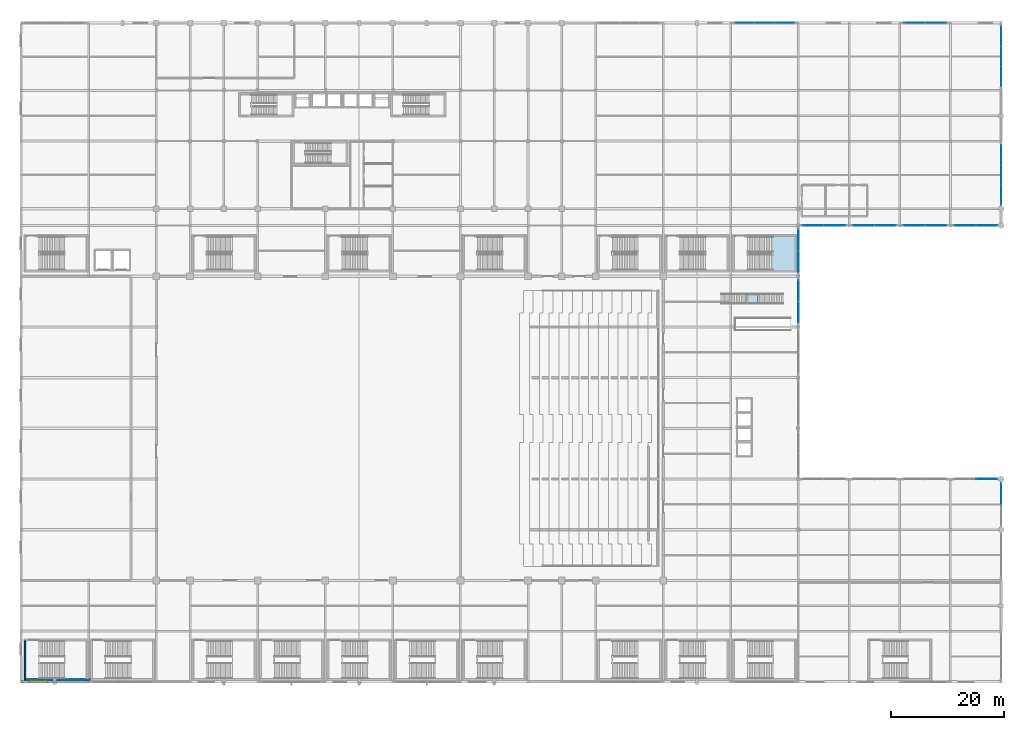
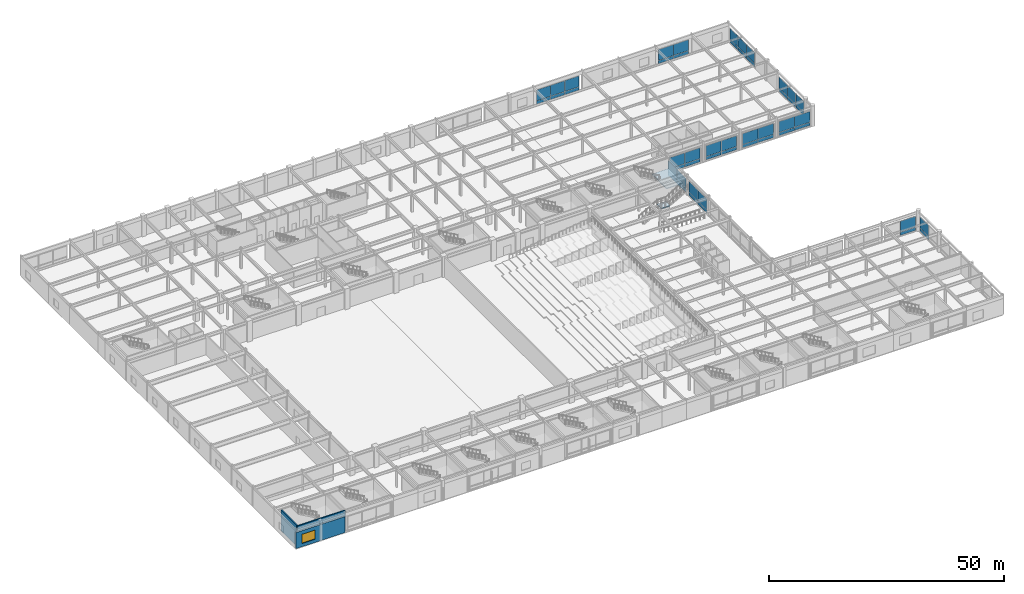
# One storey, part 78 of 100: 50 plates, 3 walls, 2 slabs, 1 window, 1 opening, 14 elements without a shape of their own.
"""IFC4 building model written with IfcOpenShell, lengths in metres."""

from ifc_helpers import new_model, si_unit, direction, frame, frame_2d, origin, origin_with_axes, origin_2d, place, context, subcontext, project, spatial, polyline, rectangle, outline, extrude, material, layer, layer_set, type_object, element, fill, aggregate, save


model = new_model("IFC4")

# Units and contexts
model_context = context("Model", 3, precision=1e-05, world=origin(), true_north=direction((0.0, 1.0)))
body_context = subcontext(model_context, "Body", "Model", "MODEL_VIEW")
ifc_project = project(units=[si_unit("LENGTHUNIT", "METRE"), si_unit("AREAUNIT", "SQUARE_METRE"), si_unit("VOLUMEUNIT", "CUBIC_METRE"), si_unit("PLANEANGLEUNIT", "RADIAN"), si_unit("MASSUNIT", "GRAM", prefix="KILO")], contexts=[model_context])

# Site, building, storey
site_placement = place(None, origin())
site = spatial("IfcSite", under=ifc_project, at=site_placement, CompositionType="ELEMENT")
building_placement = place(site_placement, origin())
building = spatial("IfcBuilding", under=site, at=building_placement, Name="Kaldorvane Square Convention Centre", CompositionType="ELEMENT")
storey_placement = place(building_placement, frame((0.0, 0.0, 18.0)))
storey = spatial("IfcBuildingStorey", under=building, at=storey_placement, Name="L03", CompositionType="ELEMENT", Elevation=18.0)

# Curtain wall, plates
ifc_material_1 = material(Name="Anodized Aluminum and Low-E Insulated Glazing", Category="aluminium")
curtain_wall_type_1 = type_object("IfcCurtainWallType", Name="CW-UNI-P54-09", PredefinedType="USERDEFINED", material=ifc_material_1)
curtain_wall_1_placement = place(storey_placement, origin())
curtain_wall_1 = element("IfcCurtainWall", 1, at=curtain_wall_1_placement, inside=storey, type_object=curtain_wall_type_1, Name="Curtain Wall CW-04 (L03)", ObjectType="UNITISED GLAZING", PredefinedType="USERDEFINED")
ifc_layer_1 = layer(ifc_material_1, 0.0319976806640625)
ifc_layer_set_1 = layer_set([ifc_layer_1], Name="Anodized Aluminum and Low-E Insulated Glazing")
plate_type_1 = type_object("IfcPlateType", Name="CW-PNL-04", PredefinedType="CURTAIN_PANEL", material=ifc_layer_set_1)
plate_1_placement = place(storey_placement, frame((135.51708984375, 117.0, 0.2100067138671875), z_axis=(0.0, 0.0, 1.0), x_axis=(-1.0, 0.0, 0.0)))
plate_1 = element("IfcPlate", 2, at=plate_1_placement, type_object=plate_type_1, Name="CW-04 panel 1.1", PredefinedType="CURTAIN_PANEL", context=body_context, shape_type="SweptSolid", body=[
    extrude(rectangle(XDim=3.4358367919921875, YDim=0.0319976806640625, at=origin_2d()), origin(), (0.0, 0.0, 1.0), 0.80999755859375),
])
plate_2_placement = place(storey_placement, frame((135.51708984375, 117.0, 1.0800018310546875), z_axis=(0.0, 0.0, 1.0), x_axis=(-1.0, 0.0, 0.0)))
plate_2 = element("IfcPlate", 3, at=plate_2_placement, type_object=plate_type_1, Name="CW-04 panel 1.2", PredefinedType="CURTAIN_PANEL", context=body_context, shape_type="SweptSolid", body=[
    extrude(rectangle(XDim=3.4358367919921875, YDim=0.0319976806640625, at=origin_2d()), origin(), (0.0, 0.0, 1.0), 2.82000732421875),
])
plate_3_placement = place(storey_placement, frame((132.0, 117.0, 0.2100067138671875), z_axis=(0.0, 0.0, 1.0), x_axis=(-1.0, 0.0, 0.0)))
plate_3 = element("IfcPlate", 4, at=plate_3_placement, type_object=plate_type_1, Name="CW-04 panel 2.1", PredefinedType="CURTAIN_PANEL", context=body_context, shape_type="SweptSolid", body=[
    extrude(rectangle(XDim=3.4683380126953125, YDim=0.0319976806640625, at=origin_2d()), origin(), (0.0, 0.0, 1.0), 0.80999755859375),
])
plate_4_placement = place(storey_placement, frame((132.0, 117.0, 1.0800018310546875), z_axis=(0.0, 0.0, 1.0), x_axis=(-1.0, 0.0, 0.0)))
plate_4 = element("IfcPlate", 5, at=plate_4_placement, type_object=plate_type_1, Name="CW-04 panel 2.2", PredefinedType="CURTAIN_PANEL", context=body_context, shape_type="SweptSolid", body=[
    extrude(rectangle(XDim=3.4683380126953125, YDim=0.0319976806640625, at=origin_2d()), origin(), (0.0, 0.0, 1.0), 2.82000732421875),
])
plate_5_placement = place(storey_placement, frame((128.48291015625, 117.0, 0.2100067138671875), z_axis=(0.0, 0.0, 1.0), x_axis=(-1.0, 0.0, 0.0)))
plate_5 = element("IfcPlate", 6, at=plate_5_placement, type_object=plate_type_1, Name="CW-04 panel 3.1", PredefinedType="CURTAIN_PANEL", context=body_context, shape_type="SweptSolid", body=[
    extrude(rectangle(XDim=3.4358367919921875, YDim=0.0319976806640625, at=origin_2d()), origin(), (0.0, 0.0, 1.0), 0.80999755859375),
])
plate_6_placement = place(storey_placement, frame((128.48291015625, 117.0, 1.0800018310546875), z_axis=(0.0, 0.0, 1.0), x_axis=(-1.0, 0.0, 0.0)))
plate_6 = element("IfcPlate", 7, at=plate_6_placement, type_object=plate_type_1, Name="CW-04 panel 3.2", PredefinedType="CURTAIN_PANEL", context=body_context, shape_type="SweptSolid", body=[
    extrude(rectangle(XDim=3.4358367919921875, YDim=0.0319976806640625, at=origin_2d()), origin(), (0.0, 0.0, 1.0), 2.82000732421875),
])
aggregate(curtain_wall_1, [plate_1, plate_2, plate_3, plate_4, plate_5, plate_6])

curtain_wall_2_placement = place(storey_placement, origin())
curtain_wall_2 = element("IfcCurtainWall", 8, at=curtain_wall_2_placement, inside=storey, type_object=curtain_wall_type_1, Name="Curtain Wall CW-04 (L03)", ObjectType="UNITISED GLAZING", PredefinedType="USERDEFINED")
plate_7_placement = place(storey_placement, frame((162.3837432861328, 117.0, 0.2100067138671875), z_axis=(0.0, 0.0, 1.0), x_axis=(-1.0, 0.0, 0.0)))
plate_7 = element("IfcPlate", 9, at=plate_7_placement, type_object=plate_type_1, Name="CW-04 panel 1.1", PredefinedType="CURTAIN_PANEL", context=body_context, shape_type="SweptSolid", body=[
    extrude(rectangle(XDim=3.7024993896484375, YDim=0.0319976806640625, at=origin_2d()), origin(), (0.0, 0.0, 1.0), 0.80999755859375),
])
plate_8_placement = place(storey_placement, frame((162.3837432861328, 117.0, 1.0800018310546875), z_axis=(0.0, 0.0, 1.0), x_axis=(-1.0, 0.0, 0.0)))
plate_8 = element("IfcPlate", 10, at=plate_8_placement, type_object=plate_type_1, Name="CW-04 panel 1.2", PredefinedType="CURTAIN_PANEL", context=body_context, shape_type="SweptSolid", body=[
    extrude(rectangle(XDim=3.7024993896484375, YDim=0.0319976806640625, at=origin_2d()), origin(), (0.0, 0.0, 1.0), 2.82000732421875),
])
plate_9_placement = place(storey_placement, frame((158.6162567138672, 117.0, 0.2100067138671875), z_axis=(0.0, 0.0, 1.0), x_axis=(-1.0, 0.0, 0.0)))
plate_9 = element("IfcPlate", 11, at=plate_9_placement, type_object=plate_type_1, Name="CW-04 panel 2.1", PredefinedType="CURTAIN_PANEL", context=body_context, shape_type="SweptSolid", body=[
    extrude(rectangle(XDim=3.7024993896484375, YDim=0.0319976806640625, at=origin_2d()), origin(), (0.0, 0.0, 1.0), 0.80999755859375),
])
plate_10_placement = place(storey_placement, frame((158.6162567138672, 117.0, 1.0800018310546875), z_axis=(0.0, 0.0, 1.0), x_axis=(-1.0, 0.0, 0.0)))
plate_10 = element("IfcPlate", 12, at=plate_10_placement, type_object=plate_type_1, Name="CW-04 panel 2.2", PredefinedType="CURTAIN_PANEL", context=body_context, shape_type="SweptSolid", body=[
    extrude(rectangle(XDim=3.7024993896484375, YDim=0.0319976806640625, at=origin_2d()), origin(), (0.0, 0.0, 1.0), 2.82000732421875),
])
aggregate(curtain_wall_2, [plate_7, plate_8, plate_9, plate_10])

curtain_wall_3_placement = place(storey_placement, origin())
curtain_wall_3 = element("IfcCurtainWall", 13, at=curtain_wall_3_placement, inside=storey, type_object=curtain_wall_type_1, Name="Curtain Wall CW-04 (L03)", ObjectType="UNITISED GLAZING", PredefinedType="USERDEFINED")
ifc_layer_2 = layer(ifc_material_1, 0.029998779296875)
ifc_layer_set_2 = layer_set([ifc_layer_2], Name="Anodized Aluminum and Low-E Insulated Glazing")
plate_type_2 = type_object("IfcPlateType", Name="CW-PNL-05", PredefinedType="CURTAIN_PANEL", material=ifc_layer_set_2)
plate_11_placement = place(storey_placement, frame((174.0, 33.40875244140625, 0.2100067138671875), z_axis=(0.0, 0.0, 1.0), x_axis=(0.0, 1.0, 0.0)))
plate_11 = element("IfcPlate", 14, at=plate_11_placement, type_object=plate_type_2, Name="CW-04 panel 2.1", PredefinedType="CURTAIN_PANEL", context=body_context, shape_type="SweptSolid", body=[
    extrude(rectangle(XDim=3.75250244140625, YDim=0.029998779296875, at=origin_2d()), origin(), (0.0, 0.0, 1.0), 0.80999755859375),
])
plate_12_placement = place(storey_placement, frame((174.0, 33.40875244140625, 1.0800018310546875), z_axis=(0.0, 0.0, 1.0), x_axis=(0.0, 1.0, 0.0)))
plate_12 = element("IfcPlate", 15, at=plate_12_placement, type_object=plate_type_2, Name="CW-04 panel 2.2", PredefinedType="CURTAIN_PANEL", context=body_context, shape_type="SweptSolid", body=[
    extrude(rectangle(XDim=3.75250244140625, YDim=0.029998779296875, at=origin_2d()), origin(), (0.0, 0.0, 1.0), 2.82000732421875),
])
aggregate(curtain_wall_3, [plate_11, plate_12])

curtain_wall_4_placement = place(storey_placement, origin())
curtain_wall_4 = element("IfcCurtainWall", 16, at=curtain_wall_4_placement, inside=storey, type_object=curtain_wall_type_1, Name="Curtain Wall CW-04 (L03)", ObjectType="UNITISED GLAZING", PredefinedType="USERDEFINED")
plate_13_placement = place(storey_placement, frame((174.0, 86.4495849609375, 0.2100067138671875), z_axis=(0.0, 0.0, 1.0), x_axis=(0.0, 1.0, 0.0)))
plate_13 = element("IfcPlate", 17, at=plate_13_placement, type_object=plate_type_2, Name="CW-04 panel 1.1", PredefinedType="CURTAIN_PANEL", context=body_context, shape_type="SweptSolid", body=[
    extrude(rectangle(XDim=3.4691619873046875, YDim=0.029998779296875, at=origin_2d()), origin(), (0.0, 0.0, 1.0), 0.80999755859375),
])
plate_14_placement = place(storey_placement, frame((174.0, 86.4495849609375, 1.0800018310546875), z_axis=(0.0, 0.0, 1.0), x_axis=(0.0, 1.0, 0.0)))
plate_14 = element("IfcPlate", 18, at=plate_14_placement, type_object=plate_type_2, Name="CW-04 panel 1.2", PredefinedType="CURTAIN_PANEL", context=body_context, shape_type="SweptSolid", body=[
    extrude(rectangle(XDim=3.4691619873046875, YDim=0.029998779296875, at=origin_2d()), origin(), (0.0, 0.0, 1.0), 2.82000732421875),
])
plate_15_placement = place(storey_placement, frame((174.0, 90.0, 0.2100067138671875), z_axis=(0.0, 0.0, 1.0), x_axis=(0.0, 1.0, 0.0)))
plate_15 = element("IfcPlate", 19, at=plate_15_placement, type_object=plate_type_2, Name="CW-04 panel 2.1", PredefinedType="CURTAIN_PANEL", context=body_context, shape_type="SweptSolid", body=[
    extrude(rectangle(XDim=3.5016632080078125, YDim=0.029998779296875, at=origin_2d()), origin(), (0.0, 0.0, 1.0), 0.80999755859375),
])
plate_16_placement = place(storey_placement, frame((174.0, 90.0, 1.0800018310546875), z_axis=(0.0, 0.0, 1.0), x_axis=(0.0, 1.0, 0.0)))
plate_16 = element("IfcPlate", 20, at=plate_16_placement, type_object=plate_type_2, Name="CW-04 panel 2.2", PredefinedType="CURTAIN_PANEL", context=body_context, shape_type="SweptSolid", body=[
    extrude(rectangle(XDim=3.5016632080078125, YDim=0.029998779296875, at=origin_2d()), origin(), (0.0, 0.0, 1.0), 2.82000732421875),
])
plate_17_placement = place(storey_placement, frame((174.0, 93.5504150390625, 0.2100067138671875), z_axis=(0.0, 0.0, 1.0), x_axis=(0.0, 1.0, 0.0)))
plate_17 = element("IfcPlate", 21, at=plate_17_placement, type_object=plate_type_2, Name="CW-04 panel 3.1", PredefinedType="CURTAIN_PANEL", context=body_context, shape_type="SweptSolid", body=[
    extrude(rectangle(XDim=3.4691619873046875, YDim=0.029998779296875, at=origin_2d()), origin(), (0.0, 0.0, 1.0), 0.80999755859375),
])
plate_18_placement = place(storey_placement, frame((174.0, 93.5504150390625, 1.0800018310546875), z_axis=(0.0, 0.0, 1.0), x_axis=(0.0, 1.0, 0.0)))
plate_18 = element("IfcPlate", 22, at=plate_18_placement, type_object=plate_type_2, Name="CW-04 panel 3.2", PredefinedType="CURTAIN_PANEL", context=body_context, shape_type="SweptSolid", body=[
    extrude(rectangle(XDim=3.4691619873046875, YDim=0.029998779296875, at=origin_2d()), origin(), (0.0, 0.0, 1.0), 2.82000732421875),
])
aggregate(curtain_wall_4, [plate_13, plate_14, plate_15, plate_16, plate_17, plate_18])

curtain_wall_5_placement = place(storey_placement, origin())
curtain_wall_5 = element("IfcCurtainWall", 23, at=curtain_wall_5_placement, inside=storey, type_object=curtain_wall_type_1, Name="Curtain Wall CW-04 (L03)", ObjectType="UNITISED GLAZING", PredefinedType="USERDEFINED")
plate_19_placement = place(storey_placement, frame((174.0, 107.4495849609375, 0.2100067138671875), z_axis=(0.0, 0.0, 1.0), x_axis=(0.0, 1.0, 0.0)))
plate_19 = element("IfcPlate", 24, at=plate_19_placement, type_object=plate_type_2, Name="CW-04 panel 1.1", PredefinedType="CURTAIN_PANEL", context=body_context, shape_type="SweptSolid", body=[
    extrude(rectangle(XDim=3.4691619873046875, YDim=0.029998779296875, at=origin_2d()), origin(), (0.0, 0.0, 1.0), 0.80999755859375),
])
plate_20_placement = place(storey_placement, frame((174.0, 107.4495849609375, 1.0800018310546875), z_axis=(0.0, 0.0, 1.0), x_axis=(0.0, 1.0, 0.0)))
plate_20 = element("IfcPlate", 25, at=plate_20_placement, type_object=plate_type_2, Name="CW-04 panel 1.2", PredefinedType="CURTAIN_PANEL", context=body_context, shape_type="SweptSolid", body=[
    extrude(rectangle(XDim=3.4691619873046875, YDim=0.029998779296875, at=origin_2d()), origin(), (0.0, 0.0, 1.0), 2.82000732421875),
])
plate_21_placement = place(storey_placement, frame((174.0, 111.0, 0.2100067138671875), z_axis=(0.0, 0.0, 1.0), x_axis=(0.0, 1.0, 0.0)))
plate_21 = element("IfcPlate", 26, at=plate_21_placement, type_object=plate_type_2, Name="CW-04 panel 2.1", PredefinedType="CURTAIN_PANEL", context=body_context, shape_type="SweptSolid", body=[
    extrude(rectangle(XDim=3.5016632080078125, YDim=0.029998779296875, at=origin_2d()), origin(), (0.0, 0.0, 1.0), 0.80999755859375),
])
plate_22_placement = place(storey_placement, frame((174.0, 111.0, 1.0800018310546875), z_axis=(0.0, 0.0, 1.0), x_axis=(0.0, 1.0, 0.0)))
plate_22 = element("IfcPlate", 27, at=plate_22_placement, type_object=plate_type_2, Name="CW-04 panel 2.2", PredefinedType="CURTAIN_PANEL", context=body_context, shape_type="SweptSolid", body=[
    extrude(rectangle(XDim=3.5016632080078125, YDim=0.029998779296875, at=origin_2d()), origin(), (0.0, 0.0, 1.0), 2.82000732421875),
])
plate_23_placement = place(storey_placement, frame((174.0, 114.5504150390625, 0.2100067138671875), z_axis=(0.0, 0.0, 1.0), x_axis=(0.0, 1.0, 0.0)))
plate_23 = element("IfcPlate", 28, at=plate_23_placement, type_object=plate_type_2, Name="CW-04 panel 3.1", PredefinedType="CURTAIN_PANEL", context=body_context, shape_type="SweptSolid", body=[
    extrude(rectangle(XDim=3.4691619873046875, YDim=0.029998779296875, at=origin_2d()), origin(), (0.0, 0.0, 1.0), 0.80999755859375),
])
plate_24_placement = place(storey_placement, frame((174.0, 114.5504150390625, 1.0800018310546875), z_axis=(0.0, 0.0, 1.0), x_axis=(0.0, 1.0, 0.0)))
plate_24 = element("IfcPlate", 29, at=plate_24_placement, type_object=plate_type_2, Name="CW-04 panel 3.2", PredefinedType="CURTAIN_PANEL", context=body_context, shape_type="SweptSolid", body=[
    extrude(rectangle(XDim=3.4691619873046875, YDim=0.029998779296875, at=origin_2d()), origin(), (0.0, 0.0, 1.0), 2.82000732421875),
])
aggregate(curtain_wall_5, [plate_19, plate_20, plate_21, plate_22, plate_23, plate_24])

curtain_wall_type_2 = type_object("IfcCurtainWallType", Name="CW-PTS-FC-54", PredefinedType="USERDEFINED", material=ifc_material_1)
curtain_wall_6_placement = place(storey_placement, origin())
curtain_wall_6 = element("IfcCurtainWall", 30, at=curtain_wall_6_placement, inside=storey, type_object=curtain_wall_type_2, Name="Curtain Wall CW-08 (L03)", ObjectType="POINT SUPPORTED GLAZING", PredefinedType="USERDEFINED")
ifc_layer_3 = layer(ifc_material_1, 0.0399932861328125)
ifc_layer_set_3 = layer_set([ifc_layer_3], Name="Anodized Aluminum and Low-E Insulated Glazing")
plate_type_3 = type_object("IfcPlateType", Name="CW-PNL-07", PredefinedType="CURTAIN_PANEL", material=ifc_layer_set_3)
plate_25_placement = place(storey_placement, frame((171.40625, 36.0, 0.214996337890625), z_axis=(0.0, 0.0, 1.0), x_axis=(-1.0, 0.0, 0.0)))
plate_25 = element("IfcPlate", 31, at=plate_25_placement, type_object=plate_type_3, Name="CW-08 panel 1.1", PredefinedType="CURTAIN_PANEL", context=body_context, shape_type="SweptSolid", body=[
    extrude(rectangle(XDim=3.7375030517578125, YDim=0.0399932861328125, at=origin_2d()), origin(), (0.0, 0.0, 1.0), 0.8025054931640625),
])
plate_26_placement = place(storey_placement, frame((171.40625, 36.0, 1.0825042724609375), z_axis=(0.0, 0.0, 1.0), x_axis=(-1.0, 0.0, 0.0)))
plate_26 = element("IfcPlate", 32, at=plate_26_placement, type_object=plate_type_3, Name="CW-08 panel 1.2", PredefinedType="CURTAIN_PANEL", context=body_context, shape_type="SweptSolid", body=[
    extrude(rectangle(XDim=3.7375030517578125, YDim=0.0399932861328125, at=origin_2d()), origin(), (0.0, 0.0, 1.0), 2.8125),
])
aggregate(curtain_wall_6, [plate_25, plate_26])

curtain_wall_7_placement = place(storey_placement, origin())
curtain_wall_7 = element("IfcCurtainWall", 33, at=curtain_wall_7_placement, inside=storey, type_object=curtain_wall_type_2, Name="Curtain Wall CW-08 (L03)", ObjectType="POINT SUPPORTED GLAZING", PredefinedType="USERDEFINED")
plate_27_placement = place(storey_placement, frame((138.0, 65.59375, 0.214996337890625), z_axis=(0.0, 0.0, 1.0), x_axis=(0.0, 1.0, 0.0)))
plate_27 = element("IfcPlate", 34, at=plate_27_placement, type_object=plate_type_3, Name="CW-08 panel 1.1", PredefinedType="CURTAIN_PANEL", context=body_context, shape_type="SweptSolid", body=[
    extrude(rectangle(XDim=3.7375030517578125, YDim=0.0399932861328125, at=origin_2d()), origin(), (0.0, 0.0, 1.0), 0.8025054931640625),
])
plate_28_placement = place(storey_placement, frame((138.0, 65.59375, 1.0825042724609375), z_axis=(0.0, 0.0, 1.0), x_axis=(0.0, 1.0, 0.0)))
plate_28 = element("IfcPlate", 35, at=plate_28_placement, type_object=plate_type_3, Name="CW-08 panel 1.2", PredefinedType="CURTAIN_PANEL", context=body_context, shape_type="SweptSolid", body=[
    extrude(rectangle(XDim=3.7375030517578125, YDim=0.0399932861328125, at=origin_2d()), origin(), (0.0, 0.0, 1.0), 2.8125),
])
plate_29_placement = place(storey_placement, frame((138.0, 69.40625, 0.214996337890625), z_axis=(0.0, 0.0, 1.0), x_axis=(0.0, 1.0, 0.0)))
plate_29 = element("IfcPlate", 36, at=plate_29_placement, type_object=plate_type_3, Name="CW-08 panel 2.1", PredefinedType="CURTAIN_PANEL", context=body_context, shape_type="SweptSolid", body=[
    extrude(rectangle(XDim=3.7375030517578125, YDim=0.0399932861328125, at=origin_2d()), origin(), (0.0, 0.0, 1.0), 0.8025054931640625),
])
plate_30_placement = place(storey_placement, frame((138.0, 69.40625, 1.0825042724609375), z_axis=(0.0, 0.0, 1.0), x_axis=(0.0, 1.0, 0.0)))
plate_30 = element("IfcPlate", 37, at=plate_30_placement, type_object=plate_type_3, Name="CW-08 panel 2.2", PredefinedType="CURTAIN_PANEL", context=body_context, shape_type="SweptSolid", body=[
    extrude(rectangle(XDim=3.7375030517578125, YDim=0.0399932861328125, at=origin_2d()), origin(), (0.0, 0.0, 1.0), 2.8125),
])
aggregate(curtain_wall_7, [plate_27, plate_28, plate_29, plate_30])

curtain_wall_8_placement = place(storey_placement, origin())
curtain_wall_8 = element("IfcCurtainWall", 38, at=curtain_wall_8_placement, inside=storey, type_object=curtain_wall_type_2, Name="Curtain Wall CW-08 (L03)", ObjectType="POINT SUPPORTED GLAZING", PredefinedType="USERDEFINED")
plate_31_placement = place(storey_placement, frame((138.0, 74.59375, 0.214996337890625), z_axis=(0.0, 0.0, 1.0), x_axis=(0.0, 1.0, 0.0)))
plate_31 = element("IfcPlate", 39, at=plate_31_placement, type_object=plate_type_3, Name="CW-08 panel 1.1", PredefinedType="CURTAIN_PANEL", context=body_context, shape_type="SweptSolid", body=[
    extrude(rectangle(XDim=3.7375030517578125, YDim=0.0399932861328125, at=origin_2d()), origin(), (0.0, 0.0, 1.0), 0.8025054931640625),
])
plate_32_placement = place(storey_placement, frame((138.0, 74.59375, 1.0825042724609375), z_axis=(0.0, 0.0, 1.0), x_axis=(0.0, 1.0, 0.0)))
plate_32 = element("IfcPlate", 40, at=plate_32_placement, type_object=plate_type_3, Name="CW-08 panel 1.2", PredefinedType="CURTAIN_PANEL", context=body_context, shape_type="SweptSolid", body=[
    extrude(rectangle(XDim=3.7375030517578125, YDim=0.0399932861328125, at=origin_2d()), origin(), (0.0, 0.0, 1.0), 2.8125),
])
plate_33_placement = place(storey_placement, frame((138.0, 78.40625, 0.214996337890625), z_axis=(0.0, 0.0, 1.0), x_axis=(0.0, 1.0, 0.0)))
plate_33 = element("IfcPlate", 41, at=plate_33_placement, type_object=plate_type_3, Name="CW-08 panel 2.1", PredefinedType="CURTAIN_PANEL", context=body_context, shape_type="SweptSolid", body=[
    extrude(rectangle(XDim=3.7375030517578125, YDim=0.0399932861328125, at=origin_2d()), origin(), (0.0, 0.0, 1.0), 0.8025054931640625),
])
plate_34_placement = place(storey_placement, frame((138.0, 78.40625, 1.0825042724609375), z_axis=(0.0, 0.0, 1.0), x_axis=(0.0, 1.0, 0.0)))
plate_34 = element("IfcPlate", 42, at=plate_34_placement, type_object=plate_type_3, Name="CW-08 panel 2.2", PredefinedType="CURTAIN_PANEL", context=body_context, shape_type="SweptSolid", body=[
    extrude(rectangle(XDim=3.7375030517578125, YDim=0.0399932861328125, at=origin_2d()), origin(), (0.0, 0.0, 1.0), 2.8125),
])
aggregate(curtain_wall_8, [plate_31, plate_32, plate_33, plate_34])

curtain_wall_9_placement = place(storey_placement, origin())
curtain_wall_9 = element("IfcCurtainWall", 43, at=curtain_wall_9_placement, inside=storey, type_object=curtain_wall_type_2, Name="Curtain Wall CW-08 (L03)", ObjectType="POINT SUPPORTED GLAZING", PredefinedType="USERDEFINED")
plate_35_placement = place(storey_placement, frame((140.59375, 81.0, 0.214996337890625), z_axis=(0.0, 0.0, 1.0), x_axis=(1.0, 0.0, 0.0)))
plate_35 = element("IfcPlate", 44, at=plate_35_placement, type_object=plate_type_3, Name="CW-08 panel 1.1", PredefinedType="CURTAIN_PANEL", context=body_context, shape_type="SweptSolid", body=[
    extrude(rectangle(XDim=3.7375030517578125, YDim=0.0399932861328125, at=origin_2d()), origin(), (0.0, 0.0, 1.0), 0.8025054931640625),
])
plate_36_placement = place(storey_placement, frame((140.59375, 81.0, 1.0825042724609375), z_axis=(0.0, 0.0, 1.0), x_axis=(1.0, 0.0, 0.0)))
plate_36 = element("IfcPlate", 45, at=plate_36_placement, type_object=plate_type_3, Name="CW-08 panel 1.2", PredefinedType="CURTAIN_PANEL", context=body_context, shape_type="SweptSolid", body=[
    extrude(rectangle(XDim=3.7375030517578125, YDim=0.0399932861328125, at=origin_2d()), origin(), (0.0, 0.0, 1.0), 2.8125),
])
plate_37_placement = place(storey_placement, frame((144.40625, 81.0, 0.214996337890625), z_axis=(0.0, 0.0, 1.0), x_axis=(1.0, 0.0, 0.0)))
plate_37 = element("IfcPlate", 46, at=plate_37_placement, type_object=plate_type_3, Name="CW-08 panel 2.1", PredefinedType="CURTAIN_PANEL", context=body_context, shape_type="SweptSolid", body=[
    extrude(rectangle(XDim=3.7375030517578125, YDim=0.0399932861328125, at=origin_2d()), origin(), (0.0, 0.0, 1.0), 0.8025054931640625),
])
plate_38_placement = place(storey_placement, frame((144.40625, 81.0, 1.0825042724609375), z_axis=(0.0, 0.0, 1.0), x_axis=(1.0, 0.0, 0.0)))
plate_38 = element("IfcPlate", 47, at=plate_38_placement, type_object=plate_type_3, Name="CW-08 panel 2.2", PredefinedType="CURTAIN_PANEL", context=body_context, shape_type="SweptSolid", body=[
    extrude(rectangle(XDim=3.7375030517578125, YDim=0.0399932861328125, at=origin_2d()), origin(), (0.0, 0.0, 1.0), 2.8125),
])
aggregate(curtain_wall_9, [plate_35, plate_36, plate_37, plate_38])

curtain_wall_10_placement = place(storey_placement, origin())
curtain_wall_10 = element("IfcCurtainWall", 48, at=curtain_wall_10_placement, inside=storey, type_object=curtain_wall_type_2, Name="Curtain Wall CW-08 (L03)", ObjectType="POINT SUPPORTED GLAZING", PredefinedType="USERDEFINED")
plate_39_placement = place(storey_placement, frame((149.59375, 81.0, 0.214996337890625), z_axis=(0.0, 0.0, 1.0), x_axis=(1.0, 0.0, 0.0)))
plate_39 = element("IfcPlate", 49, at=plate_39_placement, type_object=plate_type_3, Name="CW-08 panel 1.1", PredefinedType="CURTAIN_PANEL", context=body_context, shape_type="SweptSolid", body=[
    extrude(rectangle(XDim=3.7375030517578125, YDim=0.0399932861328125, at=origin_2d()), origin(), (0.0, 0.0, 1.0), 0.8025054931640625),
])
plate_40_placement = place(storey_placement, frame((149.59375, 81.0, 1.0825042724609375), z_axis=(0.0, 0.0, 1.0), x_axis=(1.0, 0.0, 0.0)))
plate_40 = element("IfcPlate", 50, at=plate_40_placement, type_object=plate_type_3, Name="CW-08 panel 1.2", PredefinedType="CURTAIN_PANEL", context=body_context, shape_type="SweptSolid", body=[
    extrude(rectangle(XDim=3.7375030517578125, YDim=0.0399932861328125, at=origin_2d()), origin(), (0.0, 0.0, 1.0), 2.8125),
])
plate_41_placement = place(storey_placement, frame((153.40625, 81.0, 0.214996337890625), z_axis=(0.0, 0.0, 1.0), x_axis=(1.0, 0.0, 0.0)))
plate_41 = element("IfcPlate", 51, at=plate_41_placement, type_object=plate_type_3, Name="CW-08 panel 2.1", PredefinedType="CURTAIN_PANEL", context=body_context, shape_type="SweptSolid", body=[
    extrude(rectangle(XDim=3.7375030517578125, YDim=0.0399932861328125, at=origin_2d()), origin(), (0.0, 0.0, 1.0), 0.8025054931640625),
])
plate_42_placement = place(storey_placement, frame((153.40625, 81.0, 1.0825042724609375), z_axis=(0.0, 0.0, 1.0), x_axis=(1.0, 0.0, 0.0)))
plate_42 = element("IfcPlate", 52, at=plate_42_placement, type_object=plate_type_3, Name="CW-08 panel 2.2", PredefinedType="CURTAIN_PANEL", context=body_context, shape_type="SweptSolid", body=[
    extrude(rectangle(XDim=3.7375030517578125, YDim=0.0399932861328125, at=origin_2d()), origin(), (0.0, 0.0, 1.0), 2.8125),
])
aggregate(curtain_wall_10, [plate_39, plate_40, plate_41, plate_42])

curtain_wall_11_placement = place(storey_placement, origin())
curtain_wall_11 = element("IfcCurtainWall", 53, at=curtain_wall_11_placement, inside=storey, type_object=curtain_wall_type_2, Name="Curtain Wall CW-08 (L03)", ObjectType="POINT SUPPORTED GLAZING", PredefinedType="USERDEFINED")
plate_43_placement = place(storey_placement, frame((158.59375, 81.0, 0.214996337890625), z_axis=(0.0, 0.0, 1.0), x_axis=(1.0, 0.0, 0.0)))
plate_43 = element("IfcPlate", 54, at=plate_43_placement, type_object=plate_type_3, Name="CW-08 panel 1.1", PredefinedType="CURTAIN_PANEL", context=body_context, shape_type="SweptSolid", body=[
    extrude(rectangle(XDim=3.7375030517578125, YDim=0.0399932861328125, at=origin_2d()), origin(), (0.0, 0.0, 1.0), 0.8025054931640625),
])
plate_44_placement = place(storey_placement, frame((158.59375, 81.0, 1.0825042724609375), z_axis=(0.0, 0.0, 1.0), x_axis=(1.0, 0.0, 0.0)))
plate_44 = element("IfcPlate", 55, at=plate_44_placement, type_object=plate_type_3, Name="CW-08 panel 1.2", PredefinedType="CURTAIN_PANEL", context=body_context, shape_type="SweptSolid", body=[
    extrude(rectangle(XDim=3.7375030517578125, YDim=0.0399932861328125, at=origin_2d()), origin(), (0.0, 0.0, 1.0), 2.8125),
])
plate_45_placement = place(storey_placement, frame((162.40625, 81.0, 0.214996337890625), z_axis=(0.0, 0.0, 1.0), x_axis=(1.0, 0.0, 0.0)))
plate_45 = element("IfcPlate", 56, at=plate_45_placement, type_object=plate_type_3, Name="CW-08 panel 2.1", PredefinedType="CURTAIN_PANEL", context=body_context, shape_type="SweptSolid", body=[
    extrude(rectangle(XDim=3.7375030517578125, YDim=0.0399932861328125, at=origin_2d()), origin(), (0.0, 0.0, 1.0), 0.8025054931640625),
])
plate_46_placement = place(storey_placement, frame((162.40625, 81.0, 1.0825042724609375), z_axis=(0.0, 0.0, 1.0), x_axis=(1.0, 0.0, 0.0)))
plate_46 = element("IfcPlate", 57, at=plate_46_placement, type_object=plate_type_3, Name="CW-08 panel 2.2", PredefinedType="CURTAIN_PANEL", context=body_context, shape_type="SweptSolid", body=[
    extrude(rectangle(XDim=3.7375030517578125, YDim=0.0399932861328125, at=origin_2d()), origin(), (0.0, 0.0, 1.0), 2.8125),
])
aggregate(curtain_wall_11, [plate_43, plate_44, plate_45, plate_46])

curtain_wall_12_placement = place(storey_placement, origin())
curtain_wall_12 = element("IfcCurtainWall", 58, at=curtain_wall_12_placement, inside=storey, type_object=curtain_wall_type_2, Name="Curtain Wall CW-08 (L03)", ObjectType="POINT SUPPORTED GLAZING", PredefinedType="USERDEFINED")
plate_47_placement = place(storey_placement, frame((167.59375, 81.0, 0.214996337890625), z_axis=(0.0, 0.0, 1.0), x_axis=(1.0, 0.0, 0.0)))
plate_47 = element("IfcPlate", 59, at=plate_47_placement, type_object=plate_type_3, Name="CW-08 panel 1.1", PredefinedType="CURTAIN_PANEL", context=body_context, shape_type="SweptSolid", body=[
    extrude(rectangle(XDim=3.7375030517578125, YDim=0.0399932861328125, at=origin_2d()), origin(), (0.0, 0.0, 1.0), 0.8025054931640625),
])
plate_48_placement = place(storey_placement, frame((167.59375, 81.0, 1.0825042724609375), z_axis=(0.0, 0.0, 1.0), x_axis=(1.0, 0.0, 0.0)))
plate_48 = element("IfcPlate", 60, at=plate_48_placement, type_object=plate_type_3, Name="CW-08 panel 1.2", PredefinedType="CURTAIN_PANEL", context=body_context, shape_type="SweptSolid", body=[
    extrude(rectangle(XDim=3.7375030517578125, YDim=0.0399932861328125, at=origin_2d()), origin(), (0.0, 0.0, 1.0), 2.8125),
])
plate_49_placement = place(storey_placement, frame((171.40625, 81.0, 0.214996337890625), z_axis=(0.0, 0.0, 1.0), x_axis=(1.0, 0.0, 0.0)))
plate_49 = element("IfcPlate", 61, at=plate_49_placement, type_object=plate_type_3, Name="CW-08 panel 2.1", PredefinedType="CURTAIN_PANEL", context=body_context, shape_type="SweptSolid", body=[
    extrude(rectangle(XDim=3.7375030517578125, YDim=0.0399932861328125, at=origin_2d()), origin(), (0.0, 0.0, 1.0), 0.8025054931640625),
])
plate_50_placement = place(storey_placement, frame((171.40625, 81.0, 1.0825042724609375), z_axis=(0.0, 0.0, 1.0), x_axis=(1.0, 0.0, 0.0)))
plate_50 = element("IfcPlate", 62, at=plate_50_placement, type_object=plate_type_3, Name="CW-08 panel 2.2", PredefinedType="CURTAIN_PANEL", context=body_context, shape_type="SweptSolid", body=[
    extrude(rectangle(XDim=3.7375030517578125, YDim=0.0399932861328125, at=origin_2d()), origin(), (0.0, 0.0, 1.0), 2.8125),
])
aggregate(curtain_wall_12, [plate_47, plate_48, plate_49, plate_50])

# Stair, slab
ifc_material_2 = material(Name="Concrete f'c = 42 MPa (Normalweight)", Category="concrete")
stair_type_1 = type_object("IfcStairType", Name="ST-DL-2800-5400", PredefinedType="HALF_TURN_STAIR", material=ifc_material_2)
stair_1_placement = place(storey_placement, origin())
stair_1 = element("IfcStair", 63, at=stair_1_placement, inside=storey, type_object=stair_type_1, Name="Convention Exit Stair C18 (L03)", PredefinedType="HALF_TURN_STAIR")
ifc_layer_4 = layer(ifc_material_2, 0.2400054931640625)
ifc_layer_set_4 = layer_set([ifc_layer_4], Name="Concrete f'c = 42 MPa (Normalweight)")
slab_type = type_object("IfcSlabType", Name="SL-LAND-240", PredefinedType="LANDING", material=ifc_layer_set_4)
slab_1_placement = place(storey_placement, frame((0.0, 0.0, 2.4600067138671875)))
slab_1 = element("IfcSlab", 64, at=slab_1_placement, type_object=slab_type, Name="Convention Exit Stair C18 Half Landing (L03)", PredefinedType="LANDING", context=body_context, shape_type="SweptSolid", body=[
    extrude(outline(polyline([(133.41000366210938, 72.97999572753906), (137.47999572753906, 72.97999572753906), (137.47999572753906, 79.17999267578125), (133.41000366210938, 79.17999267578125), (133.41000366210938, 72.97999572753906)])), origin(), (0.0, 0.0, 1.0), 0.239990234375),
])
aggregate(stair_1, [slab_1])

ifc_material_3 = material(Name="Steel ASTM A500 Gr. C", Category="steel")
stair_type_2 = type_object("IfcStairType", Name="ST-STR-1800-5400", PredefinedType="STRAIGHT_RUN_STAIR", material=ifc_material_3)
stair_2_placement = place(storey_placement, origin())
stair_2 = element("IfcStair", 65, at=stair_2_placement, inside=storey, type_object=stair_type_2, Name="East Foyer Grand Stair F4 (L03)", PredefinedType="STRAIGHT_RUN_STAIR")
slab_2_placement = place(storey_placement, frame((0.0, 0.0, 2.4600067138671875)))
slab_2 = element("IfcSlab", 66, at=slab_2_placement, type_object=slab_type, Name="East Foyer Grand Stair F4 Mid Landing (L03)", PredefinedType="LANDING", context=body_context, shape_type="SweptSolid", body=[
    extrude(outline(polyline([(128.6999969482422, 67.10000610351562), (130.86000061035156, 67.10000610351562), (130.86000061035156, 68.89999389648438), (128.6999969482422, 68.89999389648438), (128.6999969482422, 67.10000610351562)])), origin(), (0.0, 0.0, 1.0), 0.239990234375),
])
aggregate(stair_2, [slab_2])

# Wall, opening, window
ifc_layer_5 = layer(ifc_material_2, 0.3800048828125)
ifc_layer_set_5 = layer_set([ifc_layer_5], Name="Concrete f'c = 42 MPa (Normalweight)")
wall_type_1 = type_object("IfcWallType", Name="WL-EXT-380", PredefinedType="STANDARD", material=ifc_layer_set_5)
wall_1_placement = place(storey_placement, origin_with_axes())
wall_1 = element("IfcWall", 67, at=wall_1_placement, inside=storey, type_object=wall_type_1, Name="South Square Brutalist Facade Wall (L03)", PredefinedType="STANDARD", context=body_context, shape_type="SweptSolid", body=[
    extrude(rectangle(XDim=12.0, YDim=0.3800048828125, at=frame_2d((6.0, 0.0))), origin(), (0.0, 0.0, 1.0), 4.175994873046875),
])
opening_placement = place(wall_1_placement, frame((1.5, 0.0, 0.850006103515625)))
opening = element("IfcOpeningElement", 68, at=opening_placement, cuts=wall_1, Name="Opening W-15", PredefinedType="OPENING", context=body_context, shape_type="SweptSolid", body=[
    extrude(rectangle(XDim=3.1999969482421875, YDim=2.399993896484375, at=frame_2d((1.600006103515625, 1.1999969482421875))), frame((0.0, 0.2050018310546875, 0.0), z_axis=(0.0, -1.0, 0.0), x_axis=(1.0, 0.0, 0.0)), (0.0, 0.0, 1.0), 0.410003662109375),
])
window_type = type_object("IfcWindowType", Name="WN-POD-3200X2400", PartitioningType="TRIPLE_PANEL_VERTICAL", PredefinedType="WINDOW", material=ifc_material_1)
window_placement = place(opening_placement, origin())
window = element("IfcWindow", 69, at=window_placement, inside=storey, type_object=window_type, Name="South Facade Window (L03)", OverallHeight=2.399993896484375, OverallWidth=3.1999969482421875, PartitioningType="TRIPLE_PANEL_VERTICAL", PredefinedType="WINDOW", context=body_context, shape_type="SweptSolid", body=[
    extrude(rectangle(XDim=3.1999969482421875, YDim=2.399993896484375, at=frame_2d((1.600006103515625, 1.1999969482421875))), frame((0.0, 0.029998779296875, 0.0), z_axis=(0.0, -1.0, 0.0), x_axis=(1.0, 0.0, 0.0)), (0.0, 0.0, 1.0), 0.05999755859375),
])
fill(opening, window)

# Walls
ifc_material_4 = material(Name="Concrete f'c = 55 MPa (Normalweight)", Category="concrete")
ifc_layer_6 = layer(ifc_material_4, 0.3000030517578125)
ifc_layer_set_6 = layer_set([ifc_layer_6], Name="Concrete f'c = 55 MPa (Normalweight)")
wall_type_2 = type_object("IfcWallType", Name="WL-SHAFT-300", PredefinedType="SHEAR", material=ifc_layer_set_6)
wall_2_placement = place(storey_placement, frame((12.339996337890625, 0.399993896484375, 0.0), z_axis=(0.0, 0.0, 1.0), x_axis=(-1.0, 0.0, 0.0)))
element("IfcWall", 70, at=wall_2_placement, inside=storey, type_object=wall_type_2, Name="Core Enclosure Wall stair:ST-C1-S (L03)", PredefinedType="SHEAR", context=body_context, shape_type="SweptSolid", body=[
    extrude(rectangle(XDim=11.779998779296875, YDim=0.3000030517578125, at=frame_2d((5.8899993896484375, 0.0))), origin(), (0.0, 0.0, 1.0), 5.399993896484375),
])
wall_3_placement = place(storey_placement, frame((0.7100067138671875, 7.2599945068359375, 0.0), z_axis=(0.0, 0.0, 1.0), x_axis=(0.0, -1.0, 0.0)))
element("IfcWall", 71, at=wall_3_placement, inside=storey, type_object=wall_type_2, Name="Core Enclosure Wall stair:ST-C1-W (L03)", PredefinedType="SHEAR", context=body_context, shape_type="SweptSolid", body=[
    extrude(rectangle(XDim=6.709991455078125, YDim=0.3000030517578125, at=frame_2d((3.3549957275390625, 0.0))), origin(), (0.0, 0.0, 1.0), 5.399993896484375),
])

save(model, "model.ifc")
